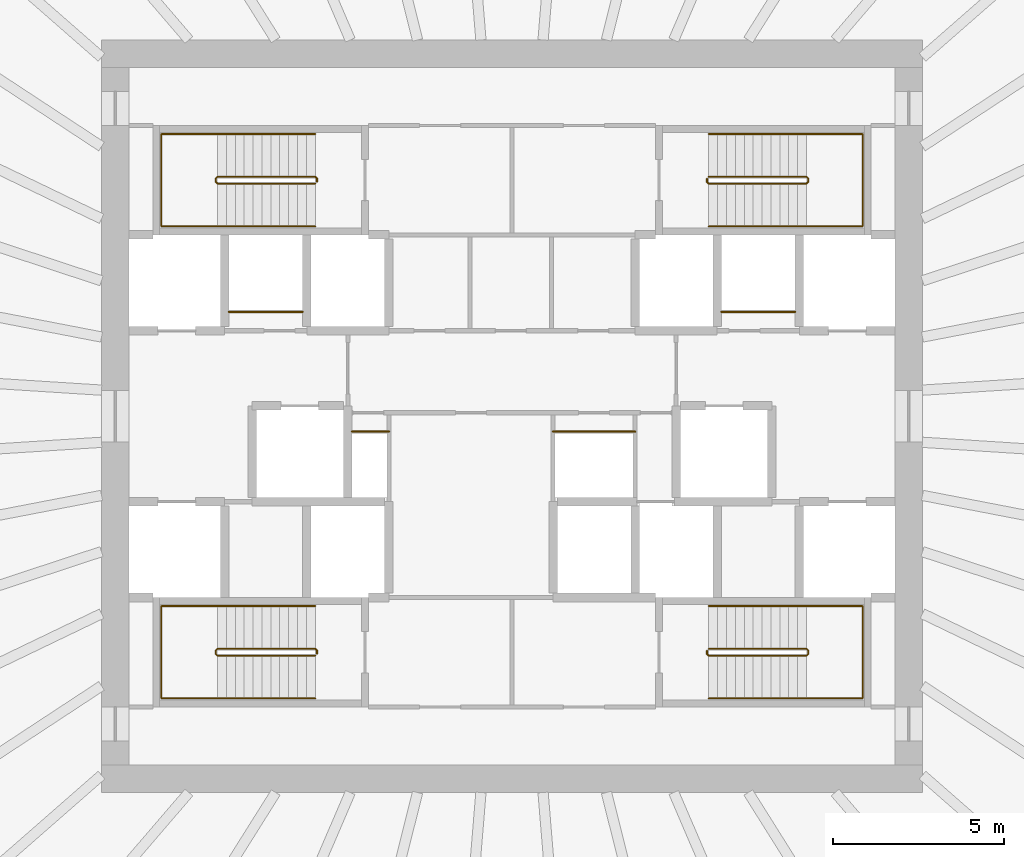
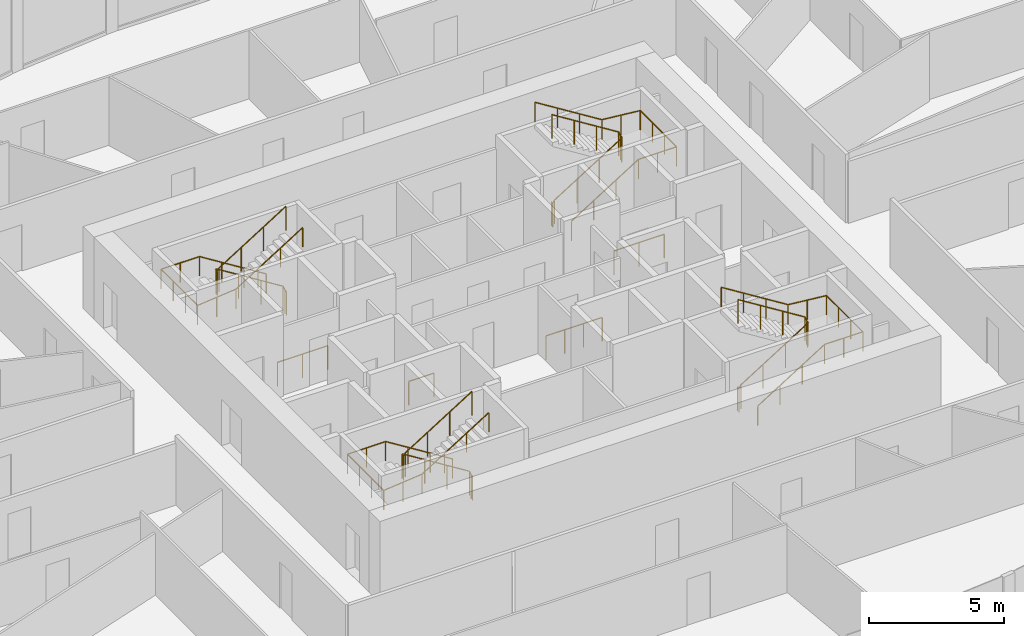
# One storey, part 11 of 11: 12 railings.
"""IFC4 building model written with IfcOpenShell, lengths in metres."""

from ifc_helpers import new_model, si_unit, direction, frame, origin, origin_2d, place, context, subcontext, project, spatial, circle, extrude, source, transform, mapped, material, type_object, element, save


model = new_model("IFC4")

# Units and contexts
model_context = context("Model", 3, precision=1e-05, world=origin(), true_north=direction((0.0, 1.0)))
body_context = subcontext(model_context, "Body", "Model", "MODEL_VIEW")
ifc_project = project(units=[si_unit("LENGTHUNIT", "METRE"), si_unit("AREAUNIT", "SQUARE_METRE"), si_unit("VOLUMEUNIT", "CUBIC_METRE"), si_unit("PLANEANGLEUNIT", "RADIAN"), si_unit("MASSUNIT", "GRAM", prefix="KILO")], contexts=[model_context])

# Site, building, storey
site_placement = place(None, origin())
site = spatial("IfcSite", under=ifc_project, at=site_placement, CompositionType="ELEMENT")
building_placement = place(site_placement, origin())
building = spatial("IfcBuilding", under=site, at=building_placement, Name="Embergate Tower", CompositionType="ELEMENT")
storey_placement = place(building_placement, frame((0.0, 0.0, 219.0)))
storey = spatial("IfcBuildingStorey", under=building, at=storey_placement, Name="L50", CompositionType="ELEMENT", Elevation=219.0)

# Railings
ifc_material_1 = material(Name="Stair guard 1100")
railing_type_1 = type_object("IfcRailingType", Name="Stair guard 1100", PredefinedType="GUARDRAIL", material=ifc_material_1)
shared_shape_1 = source(origin(), body_context, "Body", "SweptSolid", [
    extrude(circle(Radius=0.02392578125, at=origin_2d()), frame((0.0, 0.0, 1.076171875), z_axis=(0.0, 1.0, 0.0), x_axis=(-1.0, 0.0, 0.0)), (0.0, 0.0, 1.0), 0.099853515625),
    extrude(circle(Radius=0.02392578125, at=origin_2d()), frame((0.0, 0.099853515625, 1.076171875), z_axis=(-0.282227285176, 0.282227285176, 0.916894497205), x_axis=(-0.707106781187, -0.707106781187, 0.0)), (0.0, 0.0, 1.0), 0.17724609375),
    extrude(circle(Radius=0.02392578125, at=origin_2d()), frame((-0.050048828125, 0.14990234375, 1.23876953125), z_axis=(-0.848026770018, 0.0, 0.529953391661), x_axis=(0.0, -1.0, 0.0)), (0.0, 0.0, 1.0), 3.37255859375),
    extrude(circle(Radius=0.02392578125, at=origin_2d()), frame((-2.91015625, 0.14990234375, 3.02587890625), z_axis=(-0.705375805398, -0.708833529934, 0.0), x_axis=(0.708833529934, -0.705375805398, 0.0)), (0.0, 0.0, 1.0), 0.070556640625),
    extrude(circle(Radius=0.02392578125, at=origin_2d()), frame((-2.9599609375, 0.099853515625, 3.02587890625), z_axis=(0.0, -1.0, 0.0), x_axis=(1.0, 0.0, 0.0)), (0.0, 0.0, 1.0), 0.099853515625),
    extrude(circle(Radius=0.02392578125, at=origin_2d()), frame((-2.9599609375, 0.0, 3.02587890625), z_axis=(0.280959487676, -0.282336740067, 0.917250092119), x_axis=(0.708833529934, 0.705375805398, 0.0)), (0.0, 0.0, 1.0), 0.17724609375),
    extrude(circle(Radius=0.02392578125, at=origin_2d()), frame((-2.91015625, -0.050048828125, 3.1884765625), z_axis=(0.848026770018, 0.0, 0.529953391661), x_axis=(0.0, 1.0, 0.0)), (0.0, 0.0, 1.0), 3.37255859375),
    extrude(circle(Radius=0.02099609375, at=origin_2d()), origin(), (0.0, 0.0, 1.0), 1.052001953125),
    extrude(circle(Radius=0.02099609375, at=origin_2d()), frame((0.0, 0.099853515625, 0.0)), (0.0, 0.0, 1.0), 1.052001953125),
    extrude(circle(Radius=0.02099609375, at=origin_2d()), frame((-0.050048828125, 0.14990234375, 0.16259765625)), (0.0, 0.0, 1.0), 1.052001953125),
    extrude(circle(Radius=0.02099609375, at=origin_2d()), frame((-1.00341796875, 0.14990234375, 0.75830078125)), (0.0, 0.0, 1.0), 1.052001953125),
    extrude(circle(Radius=0.02099609375, at=origin_2d()), frame((-1.956787109375, 0.14990234375, 1.354248046875)), (0.0, 0.0, 1.0), 1.052001953125),
    extrude(circle(Radius=0.02099609375, at=origin_2d()), frame((-2.91015625, 0.14990234375, 1.949951171875)), (0.0, 0.0, 1.0), 1.052001953125),
    extrude(circle(Radius=0.02099609375, at=origin_2d()), frame((-2.9599609375, 0.099853515625, 1.949951171875)), (0.0, 0.0, 1.0), 1.052001953125),
    extrude(circle(Radius=0.02099609375, at=origin_2d()), frame((-2.9599609375, 0.0, 1.949951171875)), (0.0, 0.0, 1.0), 1.052001953125),
    extrude(circle(Radius=0.02099609375, at=origin_2d()), frame((-2.91015625, -0.050048828125, 2.112548828125)), (0.0, 0.0, 1.0), 1.052001953125),
    extrude(circle(Radius=0.02099609375, at=origin_2d()), frame((-1.956787109375, -0.050048828125, 2.708251953125)), (0.0, 0.0, 1.0), 1.052001953125),
    extrude(circle(Radius=0.02099609375, at=origin_2d()), frame((-1.00341796875, -0.050048828125, 3.30419921875)), (0.0, 0.0, 1.0), 1.052001953125),
    extrude(circle(Radius=0.02099609375, at=origin_2d()), frame((-0.050048828125, -0.050048828125, 3.89990234375)), (0.0, 0.0, 1.0), 1.052001953125),
])
for number, where, name in (
    (1, (-5.699951171875, 6.85009765625, 0.0), "L50 ST1 stair guard 1"),
    (2, (-5.699951171875, -6.949951171875, 0.0), "L50 ST3 stair guard 1"),
):
    element("IfcRailing", number, at=place(storey_placement, frame(where)), inside=storey, type_object=railing_type_1, Name=name, PredefinedType="GUARDRAIL", context=body_context, shape_type="MappedRepresentation", body=[
        mapped(shared_shape_1, transform((0.0, 0.0, 0.0))),
    ])
ifc_material_2 = material(Name="Stair handrail 900")
railing_type_2 = type_object("IfcRailingType", Name="Stair handrail 900", PredefinedType="HANDRAIL", material=ifc_material_2)
shared_shape_2 = source(origin(), body_context, "Body", "SweptSolid", [
    extrude(circle(Radius=0.02392578125, at=origin_2d()), frame((0.0, 0.0, 0.8759765625), z_axis=(-0.848026770018, 0.0, 0.529953391661), x_axis=(0.0, -1.0, 0.0)), (0.0, 0.0, 1.0), 3.37255859375),
    extrude(circle(Radius=0.02392578125, at=origin_2d()), frame((-2.860107421875, 0.0, 2.6630859375), z_axis=(-1.0, 0.0, 0.0), x_axis=(0.0, -1.0, 0.0)), (0.0, 0.0, 1.0), 1.639892578125),
    extrude(circle(Radius=0.02392578125, at=origin_2d()), frame((-4.5, 0.0, 2.6630859375), z_axis=(0.0, -1.0, 0.0), x_axis=(1.0, 0.0, 0.0)), (0.0, 0.0, 1.0), 2.699951171875),
    extrude(circle(Radius=0.02392578125, at=origin_2d()), frame((-4.5, -2.699951171875, 2.6630859375), z_axis=(0.995120448088, 0.0, 0.098667592441), x_axis=(0.0, 1.0, 0.0)), (0.0, 0.0, 1.0), 1.64794921875),
    extrude(circle(Radius=0.02392578125, at=origin_2d()), frame((-2.860107421875, -2.699951171875, 2.82568359375), z_axis=(0.848026770018, 0.0, 0.529953391661), x_axis=(0.0, 1.0, 0.0)), (0.0, 0.0, 1.0), 3.37255859375),
    extrude(circle(Radius=0.02099609375, at=origin_2d()), origin(), (0.0, 0.0, 1.0), 0.851806640625),
    extrude(circle(Radius=0.02099609375, at=origin_2d()), frame((-0.953369140625, 0.0, 0.595703125)), (0.0, 0.0, 1.0), 0.851806640625),
    extrude(circle(Radius=0.02099609375, at=origin_2d()), frame((-1.90673828125, 0.0, 1.191650390625)), (0.0, 0.0, 1.0), 0.851806640625),
    extrude(circle(Radius=0.02099609375, at=origin_2d()), frame((-2.860107421875, 0.0, 1.787353515625)), (0.0, 0.0, 1.0), 0.851806640625),
    extrude(circle(Radius=0.02099609375, at=origin_2d()), frame((-3.68017578125, 0.0, 1.787353515625)), (0.0, 0.0, 1.0), 0.851806640625),
    extrude(circle(Radius=0.02099609375, at=origin_2d()), frame((-4.5, 0.0, 1.787353515625)), (0.0, 0.0, 1.0), 0.851806640625),
    extrude(circle(Radius=0.02099609375, at=origin_2d()), frame((-4.5, -0.89990234375, 1.787353515625)), (0.0, 0.0, 1.0), 0.851806640625),
    extrude(circle(Radius=0.02099609375, at=origin_2d()), frame((-4.5, -1.800048828125, 1.787353515625)), (0.0, 0.0, 1.0), 0.851806640625),
    extrude(circle(Radius=0.02099609375, at=origin_2d()), frame((-4.5, -2.699951171875, 1.787353515625)), (0.0, 0.0, 1.0), 0.851806640625),
    extrude(circle(Radius=0.02099609375, at=origin_2d()), frame((-3.68017578125, -2.699951171875, 1.86865234375)), (0.0, 0.0, 1.0), 0.851806640625),
    extrude(circle(Radius=0.02099609375, at=origin_2d()), frame((-2.860107421875, -2.699951171875, 1.949951171875)), (0.0, 0.0, 1.0), 0.851806640625),
    extrude(circle(Radius=0.02099609375, at=origin_2d()), frame((-1.90673828125, -2.699951171875, 2.545654296875)), (0.0, 0.0, 1.0), 0.851806640625),
    extrude(circle(Radius=0.02099609375, at=origin_2d()), frame((-0.953369140625, -2.699951171875, 3.1416015625)), (0.0, 0.0, 1.0), 0.851806640625),
    extrude(circle(Radius=0.02099609375, at=origin_2d()), frame((0.0, -2.699951171875, 3.7373046875)), (0.0, 0.0, 1.0), 0.851806640625),
])
for number, where, name in (
    (3, (-5.75, 8.25, 0.16259765625), "L50 ST1 stair handrail 1"),
    (4, (-5.75, -5.550048828125, 0.16259765625), "L50 ST3 stair handrail 1"),
):
    element("IfcRailing", number, at=place(storey_placement, frame(where)), inside=storey, type_object=railing_type_2, Name=name, PredefinedType="HANDRAIL", context=body_context, shape_type="MappedRepresentation", body=[
        mapped(shared_shape_2, transform((0.0, 0.0, 0.0))),
    ])
shared_shape_3 = source(origin(), body_context, "Body", "SweptSolid", [
    extrude(circle(Radius=0.02392578125, at=origin_2d()), frame((0.0, 0.0, 1.076171875), z_axis=(0.0, -1.0, 0.0), x_axis=(1.0, 0.0, 0.0)), (0.0, 0.0, 1.0), 0.099853515625),
    extrude(circle(Radius=0.02392578125, at=origin_2d()), frame((0.0, -0.099853515625, 1.076171875), z_axis=(0.282227285176, -0.282227285176, 0.916894497205), x_axis=(0.707106781187, 0.707106781187, 0.0)), (0.0, 0.0, 1.0), 0.17724609375),
    extrude(circle(Radius=0.02392578125, at=origin_2d()), frame((0.050048828125, -0.14990234375, 1.23876953125), z_axis=(0.848026770018, 0.0, 0.529953391661), x_axis=(0.0, 1.0, 0.0)), (0.0, 0.0, 1.0), 3.37255859375),
    extrude(circle(Radius=0.02392578125, at=origin_2d()), frame((2.91015625, -0.14990234375, 3.02587890625), z_axis=(0.705375805398, 0.708833529934, 0.0), x_axis=(-0.708833529934, 0.705375805398, 0.0)), (0.0, 0.0, 1.0), 0.070556640625),
    extrude(circle(Radius=0.02392578125, at=origin_2d()), frame((2.9599609375, -0.099853515625, 3.02587890625), z_axis=(0.0, 1.0, 0.0), x_axis=(-1.0, 0.0, 0.0)), (0.0, 0.0, 1.0), 0.099853515625),
    extrude(circle(Radius=0.02392578125, at=origin_2d()), frame((2.9599609375, 0.0, 3.02587890625), z_axis=(-0.280959487676, 0.282336740067, 0.917250092119), x_axis=(-0.708833529934, -0.705375805398, 0.0)), (0.0, 0.0, 1.0), 0.17724609375),
    extrude(circle(Radius=0.02392578125, at=origin_2d()), frame((2.91015625, 0.050048828125, 3.1884765625), z_axis=(-0.848026770018, 0.0, 0.529953391661), x_axis=(0.0, -1.0, 0.0)), (0.0, 0.0, 1.0), 3.37255859375),
    extrude(circle(Radius=0.02099609375, at=origin_2d()), origin(), (0.0, 0.0, 1.0), 1.052001953125),
    extrude(circle(Radius=0.02099609375, at=origin_2d()), frame((0.0, -0.099853515625, 0.0)), (0.0, 0.0, 1.0), 1.052001953125),
    extrude(circle(Radius=0.02099609375, at=origin_2d()), frame((0.050048828125, -0.14990234375, 0.16259765625)), (0.0, 0.0, 1.0), 1.052001953125),
    extrude(circle(Radius=0.02099609375, at=origin_2d()), frame((1.00341796875, -0.14990234375, 0.75830078125)), (0.0, 0.0, 1.0), 1.052001953125),
    extrude(circle(Radius=0.02099609375, at=origin_2d()), frame((1.956787109375, -0.14990234375, 1.354248046875)), (0.0, 0.0, 1.0), 1.052001953125),
    extrude(circle(Radius=0.02099609375, at=origin_2d()), frame((2.91015625, -0.14990234375, 1.949951171875)), (0.0, 0.0, 1.0), 1.052001953125),
    extrude(circle(Radius=0.02099609375, at=origin_2d()), frame((2.9599609375, -0.099853515625, 1.949951171875)), (0.0, 0.0, 1.0), 1.052001953125),
    extrude(circle(Radius=0.02099609375, at=origin_2d()), frame((2.9599609375, 0.0, 1.949951171875)), (0.0, 0.0, 1.0), 1.052001953125),
    extrude(circle(Radius=0.02099609375, at=origin_2d()), frame((2.91015625, 0.050048828125, 2.112548828125)), (0.0, 0.0, 1.0), 1.052001953125),
    extrude(circle(Radius=0.02099609375, at=origin_2d()), frame((1.956787109375, 0.050048828125, 2.708251953125)), (0.0, 0.0, 1.0), 1.052001953125),
    extrude(circle(Radius=0.02099609375, at=origin_2d()), frame((1.00341796875, 0.050048828125, 3.30419921875)), (0.0, 0.0, 1.0), 1.052001953125),
    extrude(circle(Radius=0.02099609375, at=origin_2d()), frame((0.050048828125, 0.050048828125, 3.89990234375)), (0.0, 0.0, 1.0), 1.052001953125),
])
for number, where, name in (
    (5, (5.699951171875, 6.949951171875, 0.0), "L50 ST2 stair guard 1"),
    (6, (5.699951171875, -6.85009765625, 0.0), "L50 ST4 stair guard 1"),
):
    element("IfcRailing", number, at=place(storey_placement, frame(where)), inside=storey, type_object=railing_type_1, Name=name, PredefinedType="GUARDRAIL", context=body_context, shape_type="MappedRepresentation", body=[
        mapped(shared_shape_3, transform((0.0, 0.0, 0.0))),
    ])
shared_shape_4 = source(origin(), body_context, "Body", "SweptSolid", [
    extrude(circle(Radius=0.02392578125, at=origin_2d()), frame((0.0, 0.0, 0.8759765625), z_axis=(0.848026770018, 0.0, 0.529953391661), x_axis=(0.0, 1.0, 0.0)), (0.0, 0.0, 1.0), 3.37255859375),
    extrude(circle(Radius=0.02392578125, at=origin_2d()), frame((2.860107421875, 0.0, 2.6630859375), z_axis=(1.0, 0.0, 0.0), x_axis=(0.0, 1.0, 0.0)), (0.0, 0.0, 1.0), 1.639892578125),
    extrude(circle(Radius=0.02392578125, at=origin_2d()), frame((4.5, 0.0, 2.6630859375), z_axis=(0.0, 1.0, 0.0), x_axis=(-1.0, 0.0, 0.0)), (0.0, 0.0, 1.0), 2.699951171875),
    extrude(circle(Radius=0.02392578125, at=origin_2d()), frame((4.5, 2.699951171875, 2.6630859375), z_axis=(-0.995120448088, 0.0, 0.098667592441), x_axis=(0.0, -1.0, 0.0)), (0.0, 0.0, 1.0), 1.64794921875),
    extrude(circle(Radius=0.02392578125, at=origin_2d()), frame((2.860107421875, 2.699951171875, 2.82568359375), z_axis=(-0.848026770018, 0.0, 0.529953391661), x_axis=(0.0, -1.0, 0.0)), (0.0, 0.0, 1.0), 3.37255859375),
    extrude(circle(Radius=0.02099609375, at=origin_2d()), origin(), (0.0, 0.0, 1.0), 0.851806640625),
    extrude(circle(Radius=0.02099609375, at=origin_2d()), frame((0.953369140625, 0.0, 0.595703125)), (0.0, 0.0, 1.0), 0.851806640625),
    extrude(circle(Radius=0.02099609375, at=origin_2d()), frame((1.90673828125, 0.0, 1.191650390625)), (0.0, 0.0, 1.0), 0.851806640625),
    extrude(circle(Radius=0.02099609375, at=origin_2d()), frame((2.860107421875, 0.0, 1.787353515625)), (0.0, 0.0, 1.0), 0.851806640625),
    extrude(circle(Radius=0.02099609375, at=origin_2d()), frame((3.68017578125, 0.0, 1.787353515625)), (0.0, 0.0, 1.0), 0.851806640625),
    extrude(circle(Radius=0.02099609375, at=origin_2d()), frame((4.5, 0.0, 1.787353515625)), (0.0, 0.0, 1.0), 0.851806640625),
    extrude(circle(Radius=0.02099609375, at=origin_2d()), frame((4.5, 0.89990234375, 1.787353515625)), (0.0, 0.0, 1.0), 0.851806640625),
    extrude(circle(Radius=0.02099609375, at=origin_2d()), frame((4.5, 1.800048828125, 1.787353515625)), (0.0, 0.0, 1.0), 0.851806640625),
    extrude(circle(Radius=0.02099609375, at=origin_2d()), frame((4.5, 2.699951171875, 1.787353515625)), (0.0, 0.0, 1.0), 0.851806640625),
    extrude(circle(Radius=0.02099609375, at=origin_2d()), frame((3.68017578125, 2.699951171875, 1.86865234375)), (0.0, 0.0, 1.0), 0.851806640625),
    extrude(circle(Radius=0.02099609375, at=origin_2d()), frame((2.860107421875, 2.699951171875, 1.949951171875)), (0.0, 0.0, 1.0), 0.851806640625),
    extrude(circle(Radius=0.02099609375, at=origin_2d()), frame((1.90673828125, 2.699951171875, 2.545654296875)), (0.0, 0.0, 1.0), 0.851806640625),
    extrude(circle(Radius=0.02099609375, at=origin_2d()), frame((0.953369140625, 2.699951171875, 3.1416015625)), (0.0, 0.0, 1.0), 0.851806640625),
    extrude(circle(Radius=0.02099609375, at=origin_2d()), frame((0.0, 2.699951171875, 3.7373046875)), (0.0, 0.0, 1.0), 0.851806640625),
])
for number, where, name in (
    (7, (5.75, 5.550048828125, 0.16259765625), "L50 ST2 stair handrail 1"),
    (8, (5.75, -8.25, 0.16259765625), "L50 ST4 stair handrail 1"),
):
    element("IfcRailing", number, at=place(storey_placement, frame(where)), inside=storey, type_object=railing_type_2, Name=name, PredefinedType="HANDRAIL", context=body_context, shape_type="MappedRepresentation", body=[
        mapped(shared_shape_4, transform((0.0, 0.0, 0.0))),
    ])
ifc_material_3 = material(Name="Opening guard 1100")
railing_type_3 = type_object("IfcRailingType", Name="Opening guard 1100", PredefinedType="GUARDRAIL", material=ifc_material_3)
shared_shape_5 = source(origin(), body_context, "Body", "SweptSolid", [
    extrude(circle(Radius=0.02392578125, at=origin_2d()), frame((0.0, 0.0, 1.076171875), z_axis=(1.0, 0.0, 0.0), x_axis=(0.0, 1.0, 0.0)), (0.0, 0.0, 1.0), 2.14990234375),
    extrude(circle(Radius=0.02099609375, at=origin_2d()), origin(), (0.0, 0.0, 1.0), 1.052001953125),
    extrude(circle(Radius=0.02099609375, at=origin_2d()), frame((1.074951171875, 0.0, 0.0)), (0.0, 0.0, 1.0), 1.052001953125),
    extrude(circle(Radius=0.02099609375, at=origin_2d()), frame((2.14990234375, 0.0, 0.0)), (0.0, 0.0, 1.0), 1.052001953125),
])
for number, where, name in (
    (9, (-8.27490234375, 3.050048828125, 0.0), "Riser opening guard"),
    (10, (6.125, 3.050048828125, 0.0), "Riser opening guard"),
):
    element("IfcRailing", number, at=place(storey_placement, frame(where)), inside=storey, type_object=railing_type_3, Name=name, PredefinedType="GUARDRAIL", context=body_context, shape_type="MappedRepresentation", body=[
        mapped(shared_shape_5, transform((0.0, 0.0, 0.0))),
    ])
shared_shape_6 = source(origin(), body_context, "Body", "SweptSolid", [
    extrude(circle(Radius=0.02392578125, at=origin_2d()), frame((0.0, 0.0, 1.076171875), z_axis=(1.0, 0.0, 0.0), x_axis=(0.0, 1.0, 0.0)), (0.0, 0.0, 1.0), 1.074951171875),
    extrude(circle(Radius=0.02099609375, at=origin_2d()), origin(), (0.0, 0.0, 1.0), 1.052001953125),
    extrude(circle(Radius=0.02099609375, at=origin_2d()), frame((1.074951171875, 0.0, 0.0)), (0.0, 0.0, 1.0), 1.052001953125),
])
railing_1_placement = place(storey_placement, frame((-4.675048828125, -0.449951171875, 0.0)))
element("IfcRailing", 11, at=railing_1_placement, inside=storey, type_object=railing_type_3, Name="Riser opening guard", PredefinedType="GUARDRAIL", context=body_context, shape_type="MappedRepresentation", body=[
    mapped(shared_shape_6, transform((0.0, 0.0, 0.0))),
])
shared_shape_7 = source(origin(), body_context, "Body", "SweptSolid", [
    extrude(circle(Radius=0.02392578125, at=origin_2d()), frame((0.0, 0.0, 1.076171875), z_axis=(1.0, 0.0, 0.0), x_axis=(0.0, 1.0, 0.0)), (0.0, 0.0, 1.0), 2.400146484375),
    extrude(circle(Radius=0.02099609375, at=origin_2d()), origin(), (0.0, 0.0, 1.0), 1.052001953125),
    extrude(circle(Radius=0.02099609375, at=origin_2d()), frame((0.800048828125, 0.0, 0.0)), (0.0, 0.0, 1.0), 1.052001953125),
    extrude(circle(Radius=0.02099609375, at=origin_2d()), frame((1.60009765625, 0.0, 0.0)), (0.0, 0.0, 1.0), 1.052001953125),
    extrude(circle(Radius=0.02099609375, at=origin_2d()), frame((2.400146484375, 0.0, 0.0)), (0.0, 0.0, 1.0), 1.052001953125),
])
railing_2_placement = place(storey_placement, frame((1.199951171875, -0.449951171875, 0.0)))
element("IfcRailing", 12, at=railing_2_placement, inside=storey, type_object=railing_type_3, Name="Riser opening guard", PredefinedType="GUARDRAIL", context=body_context, shape_type="MappedRepresentation", body=[
    mapped(shared_shape_7, transform((0.0, 0.0, 0.0))),
])

save(model, "model.ifc")
